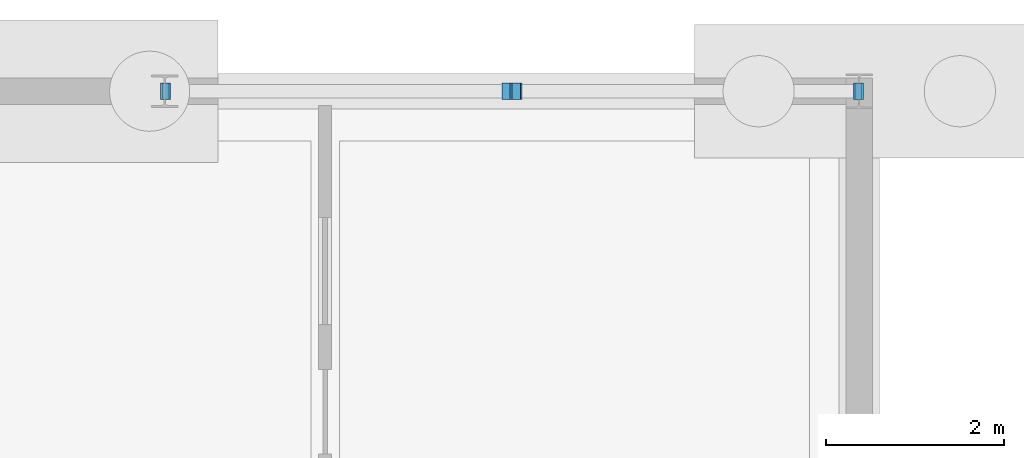
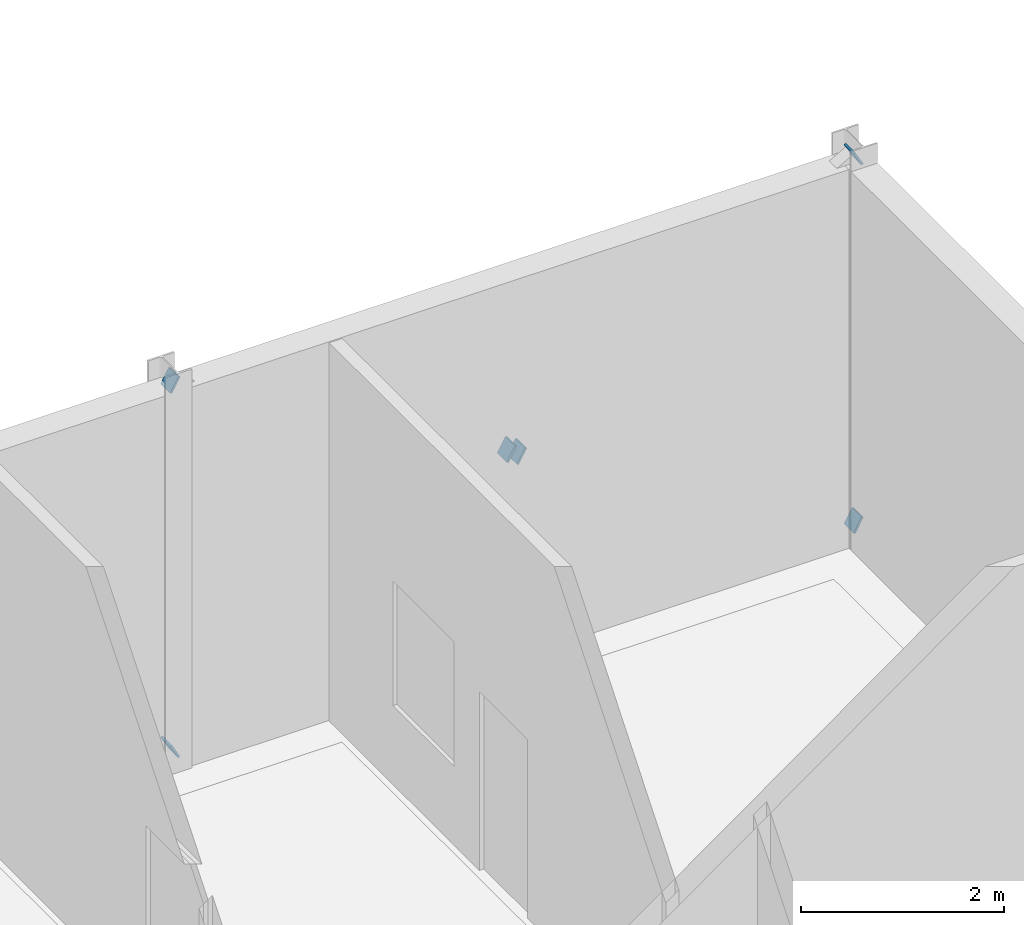
# One storey, part 63 of 91: 6 plates.
"""IFC4 building model written with IfcOpenShell, lengths in metres."""

from ifc_helpers import new_model, si_unit, direction, frame, origin, origin_2d, place, context, subcontext, project, spatial, rectangle, extrude, material, material_profile, profile_set, type_object, element, save


model = new_model("IFC4")

# Units and contexts
model_context = context("Model", 3, precision=1e-05, world=origin(), true_north=direction((0.0, 1.0)))
body_context = subcontext(model_context, "Body", "Model", "MODEL_VIEW")
ifc_project = project(units=[si_unit("LENGTHUNIT", "METRE"), si_unit("AREAUNIT", "SQUARE_METRE"), si_unit("VOLUMEUNIT", "CUBIC_METRE"), si_unit("PLANEANGLEUNIT", "RADIAN"), si_unit("MASSUNIT", "GRAM", prefix="KILO")], contexts=[model_context])

# Site, building, storey
site_placement = place(None, origin())
site = spatial("IfcSite", under=ifc_project, at=site_placement, CompositionType="ELEMENT")
building_placement = place(site_placement, origin())
building = spatial("IfcBuilding", under=site, at=building_placement, Name="Vinh Khe Railworks Police Headquarters", CompositionType="ELEMENT")
storey_placement = place(building_placement, origin())
storey = spatial("IfcBuildingStorey", under=building, at=storey_placement, Name="L00", CompositionType="ELEMENT", Elevation=0.0)

# Plates
ifc_material = material(Name="Steel S355JR", Category="steel")
ifc_material_profile = material_profile(ifc_material, rectangle(XDim=0.18994140625, YDim=0.18994140625, at=origin_2d()), Name="PL 190x190")
ifc_profile_set = profile_set([ifc_material_profile], Name="Steel S355JR")
plate_type = type_object("IfcPlateType", Name="Steel End-Cap Plate 190x190x24", PredefinedType="SHEET", material=ifc_profile_set)
for number, where, z_axis, x_axis, name in (
    (1, (63.6201171875, 166.39990234375, 0.199951171875), (-0.873197702015, 0.0, -0.487366159264), (0.0, -1.0, 0.0), "End-Cap Gusset Plate PLT-EP-0659"),
    (2, (63.6201171875, 166.39990234375, 4.60009765625), (-0.873197702015, 0.0, 0.487366159264), (0.0, -1.0, 0.0), "End-Cap Gusset Plate PLT-EP-0660"),
    (3, (67.43212890625, 166.39990234375, 2.4384765625), (0.87075356708, 0.0, -0.49171966141), (0.0, 1.0, 0.0), "End-Cap Gusset Plate PLT-EP-0661"),
    (4, (67.56787109375, 166.39990234375, 2.361572265625), (-0.87075356708, 0.0, 0.49171966141), (0.0, -1.0, 0.0), "End-Cap Gusset Plate PLT-EP-0662"),
    (5, (71.3798828125, 166.39990234375, 0.199951171875), (0.873197702015, 0.0, -0.487366159264), (0.0, 1.0, 0.0), "End-Cap Gusset Plate PLT-EP-0663"),
    (6, (71.3798828125, 166.39990234375, 4.60009765625), (0.873197702015, 0.0, 0.487366159264), (0.0, 1.0, 0.0), "End-Cap Gusset Plate PLT-EP-0664"),
):
    element("IfcPlate", number, at=place(storey_placement, frame(where, z_axis=z_axis, x_axis=x_axis)), inside=storey, type_object=plate_type, Name=name, PredefinedType="SHEET", context=body_context, shape_type="SweptSolid", body=[
        extrude(rectangle(XDim=0.18994140625, YDim=0.18994140625, at=origin_2d()), origin(), (0.0, 0.0, 1.0), 0.02392578125),
    ])

save(model, "model.ifc")
